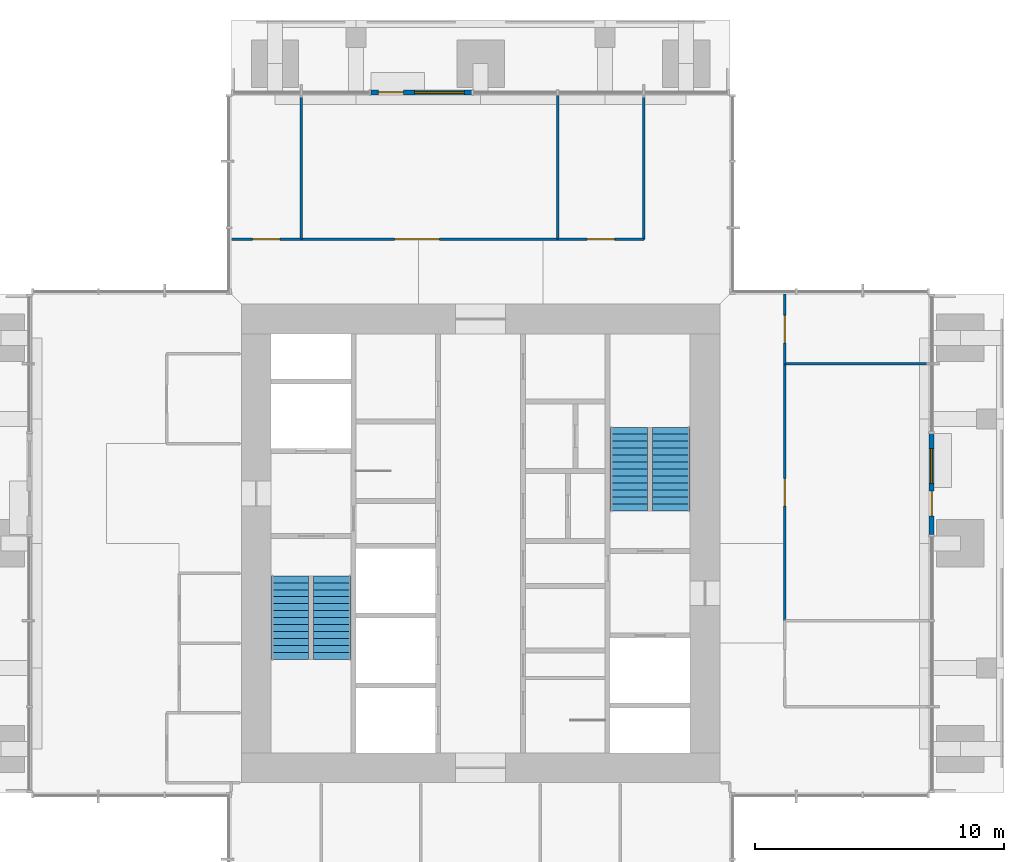
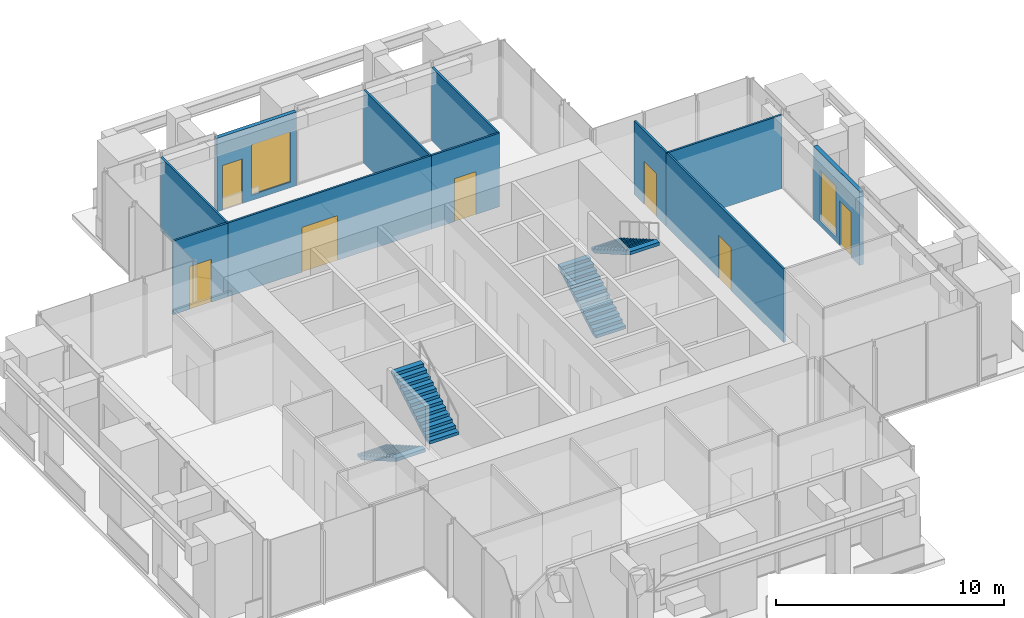
# One storey, part 9 of 12: 11 walls, 7 doors, 4 stair flights, 2 windows, 9 openings, 2 elements without a shape of their own.
"""IFC4 building model written with IfcOpenShell, lengths in metres."""

import ifcopenshell
import ifcopenshell.guid

model = None  # the IFC model being written
_history = None  # IfcOwnerHistory: only IFC2X3 demands one
_inside = {}  # id of a spatial element -> (the spatial element, [elements in it])
_under = {}  # id of a project, library or spatial element -> (it, [spatial elements below it])
_declared = {}  # id of a project -> (the project, [libraries it declares])
_typed = {}  # id of a type object -> (the type object, [elements of that type])
_made_of = {}  # id of a material, layer set ... -> (it, [elements and type objects made of it])


def new_model(schema):
    """Start an empty IFC model of exactly this schema.

    Asked for "IFC4X3", IfcOpenShell would pick the latest addendum, in which some entities
    have other attributes; the version numbers below select the first issue.
    IFC2X3 requires an IfcOwnerHistory on every rooted entity: one is made here for all.
    """
    global model, _history
    if schema == "IFC4X3":
        model = ifcopenshell.file(schema_version=(4, 3, 0, 0))
    else:
        model = ifcopenshell.file(schema=schema)
    _inside.clear()
    _under.clear()
    _declared.clear()
    _typed.clear()
    _made_of.clear()
    _history = None
    if model.schema == "IFC2X3":
        org = make("IfcOrganization", Name="unknown")
        user = make(
            "IfcPersonAndOrganization",
            ThePerson=make("IfcPerson", FamilyName="unknown"),
            TheOrganization=org,
        )
        app = make(
            "IfcApplication",
            ApplicationDeveloper=org,
            Version="unknown",
            ApplicationFullName="unknown",
            ApplicationIdentifier="unknown",
        )
        _history = make(
            "IfcOwnerHistory",
            OwningUser=user,
            OwningApplication=app,
            ChangeAction="ADDED",
            CreationDate=0,
        )
    return model


def make(cls, **values):
    """One entity of the class cls with the attributes given. An attribute that is None is left unset."""
    return model.create_entity(
        cls, **{name: value for name, value in values.items() if value is not None}
    )


def rooted(cls, **values):
    """An entity with a GlobalId (a new one), such as an element, a storey or a relation."""
    return make(cls, GlobalId=ifcopenshell.guid.new(), OwnerHistory=_history, **values)


def si_unit(unit_type, name, prefix=None):
    """IfcSIUnit, for example si_unit("LENGTHUNIT", "METRE", prefix="MILLI")."""
    return make("IfcSIUnit", UnitType=unit_type, Prefix=prefix, Name=name)


def assignment(units):
    """IfcUnitAssignment: the units of a project."""
    return None if units is None else make("IfcUnitAssignment", Units=units)


def point(xyz):
    """IfcCartesianPoint."""
    return None if xyz is None else make("IfcCartesianPoint", Coordinates=xyz)


def direction(xyz):
    """IfcDirection."""
    return None if xyz is None else make("IfcDirection", DirectionRatios=xyz)


def frame(location, z_axis=None, x_axis=None):
    """IfcAxis2Placement3D, a coordinate frame: its origin and axes. An axis left out is left unset."""
    return make(
        "IfcAxis2Placement3D",
        Location=point(location),
        Axis=direction(z_axis),
        RefDirection=direction(x_axis),
    )


def frame_2d(location, x_axis=None):
    """IfcAxis2Placement2D, a coordinate frame in the plane: its origin and x axis."""
    return make(
        "IfcAxis2Placement2D", Location=point(location), RefDirection=direction(x_axis)
    )


def origin():
    """The frame at (0, 0, 0) with its axes left unset."""
    return frame((0.0, 0.0, 0.0))


def place(relative_to, where):
    """IfcLocalPlacement: puts the frame where relative to a parent placement (None: the world)."""
    return make(
        "IfcLocalPlacement", PlacementRelTo=relative_to, RelativePlacement=where
    )


def context(
    kind, dimensions, precision=None, world=None, true_north=None, identifier=None
):
    """IfcGeometricRepresentationContext, for example the 3D "Model" context."""
    return make(
        "IfcGeometricRepresentationContext",
        ContextIdentifier=identifier,
        ContextType=kind,
        CoordinateSpaceDimension=dimensions,
        Precision=precision,
        WorldCoordinateSystem=world,
        TrueNorth=true_north,
    )


def subcontext(parent, identifier, kind, view, scale=None):
    """IfcGeometricRepresentationSubContext, for example "Body" below "Model"."""
    return make(
        "IfcGeometricRepresentationSubContext",
        ContextIdentifier=identifier,
        ContextType=kind,
        ParentContext=parent,
        TargetScale=scale,
        TargetView=view,
    )


def project(units=None, contexts=None):
    """IfcProject with its units and contexts."""
    return rooted(
        "IfcProject",
        Name="project",
        RepresentationContexts=contexts,
        UnitsInContext=assignment(units),
    )


def spatial(cls, under=None, at=None, **own):
    """A site, building, storey or space (cls), placed at a placement, below another one or the project."""
    s = rooted(cls, ObjectPlacement=at, **own)
    if under is not None:
        _under.setdefault(under.id(), (under, []))[1].append(s)
    return s


def polyline(points):
    """IfcPolyline through the points."""
    return make("IfcPolyline", Points=[point(p) for p in points])


def profile(cls, at=None, kind="AREA", **sizes):
    """A parametric profile (cls). Its sizes go by their IFC names, for example OverallWidth=200.0."""
    return make(cls, ProfileType=kind, Position=at, **sizes)


def rectangle(**sizes):
    """IfcRectangleProfileDef."""
    return profile("IfcRectangleProfileDef", **sizes)


def outline(outer, holes=None, kind="AREA"):
    """IfcArbitraryClosedProfileDef: a profile drawn as a closed curve; with holes, ...WithVoids."""
    if holes is None:
        return make("IfcArbitraryClosedProfileDef", ProfileType=kind, OuterCurve=outer)
    return make(
        "IfcArbitraryProfileDefWithVoids",
        ProfileType=kind,
        OuterCurve=outer,
        InnerCurves=holes,
    )


def extrude(swept, where, along, depth):
    """IfcExtrudedAreaSolid: the profile swept, set in the frame where, extruded along a direction by depth."""
    return make(
        "IfcExtrudedAreaSolid",
        SweptArea=swept,
        Position=where,
        ExtrudedDirection=direction(along),
        Depth=depth,
    )


def shape(context_of_items, identifier, shape_type, items):
    """IfcShapeRepresentation: the items that make up one representation, for example the "Body"."""
    return make(
        "IfcShapeRepresentation",
        ContextOfItems=context_of_items,
        RepresentationIdentifier=identifier,
        RepresentationType=shape_type,
        Items=items,
    )


def material(Name=None, Category=None):
    """IfcMaterial."""
    return make("IfcMaterial", Name=Name, Category=Category)


def layer(
    of_material, thickness, ventilated=None, Name=None, Category=None, Priority=None
):
    """IfcMaterialLayer: one layer of a wall or slab, of a material (None: an air gap)."""
    return make(
        "IfcMaterialLayer",
        Material=of_material,
        LayerThickness=thickness,
        IsVentilated=ventilated,
        Name=Name,
        Category=Category,
        Priority=Priority,
    )


def layer_set(layers, Name=None):
    """IfcMaterialLayerSet."""
    return make("IfcMaterialLayerSet", MaterialLayers=layers, LayerSetName=Name)


def made_of(thing, what):
    """Note that an element or type object is made of a material, layer set ...; save() writes the relation."""
    if what is not None:
        _made_of.setdefault(what.id(), (what, []))[1].append(thing)
    return thing


def type_object(cls, material=None, **own):
    """A type object (cls), such as IfcWallType, which elements share."""
    return made_of(rooted(cls, **own), material)


def element(
    cls,
    number,
    at=None,
    inside=None,
    cuts=None,
    type_object=None,
    material=None,
    context=None,
    identifier="Body",
    shape_type=None,
    held_by="IfcProductDefinitionShape",
    body=None,
    shapes=None,
    **own,
):
    """One element of the class cls, such as IfcWall. Its Tag is "e" and its number.

    at: its placement. inside: the storey or other place that contains it. cuts: it is an
    opening in that element (IfcRelVoidsElement). A single representation is given by context,
    identifier, shape_type and body (its items); several are given by shapes. held_by: the class
    of the entity that holds the representations. save() writes the other relations.
    """
    e = rooted(cls, Tag="e%d" % number, ObjectPlacement=at, **own)
    if body is not None:
        shapes = [shape(context, identifier, shape_type, body)]
    if shapes is not None:
        e.Representation = make(held_by, Representations=shapes)
    if inside is not None:
        _inside.setdefault(inside.id(), (inside, []))[1].append(e)
    if cuts is not None:
        rooted(
            "IfcRelVoidsElement", RelatingBuildingElement=cuts, RelatedOpeningElement=e
        )
    if type_object is not None:
        _typed.setdefault(type_object.id(), (type_object, []))[1].append(e)
    return made_of(e, material)


def fill(opening, filler):
    """IfcRelFillsElement: the door or window that sits in an opening."""
    return rooted(
        "IfcRelFillsElement",
        RelatingOpeningElement=opening,
        RelatedBuildingElement=filler,
    )


def aggregate(whole, parts):
    """IfcRelAggregates: a whole, such as a stair, and the parts it consists of."""
    return rooted("IfcRelAggregates", RelatingObject=whole, RelatedObjects=parts)


def save(model, path):
    """Write the relations noted so far, then the file.

    IfcRelAggregates (storeys below a building ...), IfcRelContainedInSpatialStructure (elements
    in a storey), IfcRelDefinesByType, IfcRelAssociatesMaterial and IfcRelDeclares: one each for
    every whole, place, type object, material and project.
    """
    for whole, parts in _under.values():
        aggregate(whole, parts)
    for where, things in _inside.values():
        rooted(
            "IfcRelContainedInSpatialStructure",
            RelatedElements=things,
            RelatingStructure=where,
        )
    for kind, things in _typed.values():
        rooted("IfcRelDefinesByType", RelatedObjects=things, RelatingType=kind)
    for what, things in _made_of.values():
        rooted("IfcRelAssociatesMaterial", RelatedObjects=things, RelatingMaterial=what)
    for by, libraries in _declared.values():
        rooted("IfcRelDeclares", RelatingContext=by, RelatedDefinitions=libraries)
    model.write(path)


model = new_model("IFC4")

# Units and contexts
model_context = context("Model", 3, precision=1e-05, world=origin(), true_north=direction((0.0, 1.0)))
body_context = subcontext(model_context, "Body", "Model", "MODEL_VIEW")
ifc_project = project(units=[si_unit("LENGTHUNIT", "METRE"), si_unit("AREAUNIT", "SQUARE_METRE"), si_unit("VOLUMEUNIT", "CUBIC_METRE"), si_unit("PLANEANGLEUNIT", "RADIAN"), si_unit("MASSUNIT", "GRAM", prefix="KILO")], contexts=[model_context])

# Site, building, storey
site_placement = place(None, origin())
site = spatial("IfcSite", under=ifc_project, at=site_placement, CompositionType="ELEMENT")
building_placement = place(site_placement, origin())
building = spatial("IfcBuilding", under=site, at=building_placement, Name="Svetlomir Tower", CompositionType="ELEMENT")
storey_placement = place(building_placement, frame((0.0, 0.0, 256.60009765625)))
storey = spatial("IfcBuildingStorey", under=building, at=storey_placement, Name="L61", CompositionType="ELEMENT", Elevation=256.60009765625)

# Wall, openings, door, window
ifc_material_1 = material(Name="Bronze anodised aluminium glazed screen", Category="aluminium")
ifc_layer_1 = layer(ifc_material_1, 0.199951171875)
ifc_layer_set_1 = layer_set([ifc_layer_1], Name="Bronze anodised aluminium glazed screen")
wall_type_1 = type_object("IfcWallType", Name="BALCONY SCREEN WALL 200", PredefinedType="USERDEFINED", material=ifc_layer_set_1)
wall_1_placement = place(storey_placement, frame((39.10009765625, 21.35009765625, 0.0), z_axis=(0.0, 0.0, 1.0), x_axis=(0.0, 1.0, 0.0)))
wall_1 = element("IfcWall", 1, at=wall_1_placement, inside=storey, type_object=wall_type_1, Name="Balcony screen E", ObjectType="GLAZED SCREEN", PredefinedType="USERDEFINED", context=body_context, shape_type="SweptSolid", body=[
    extrude(rectangle(XDim=4.0498046875, YDim=0.199951171875, at=frame_2d((2.02490234375, 0.0))), origin(), (0.0, 0.0, 1.0), 3.949951171875),
])
opening_1_placement = place(wall_1_placement, frame((0.75, 0.0, 0.0)))
opening_1 = element("IfcOpeningElement", 2, at=opening_1_placement, cuts=wall_1, Name="Opening BD", PredefinedType="OPENING", context=body_context, shape_type="SweptSolid", body=[
    extrude(rectangle(XDim=1.0, YDim=2.39990234375, at=frame_2d((0.5, 1.199951171875))), frame((0.0, 0.10986328125, 0.0), z_axis=(0.0, -1.0, 0.0), x_axis=(1.0, 0.0, 0.0)), (0.0, 0.0, 1.0), 0.219970703125),
])
opening_2_placement = place(wall_1_placement, frame((2.050048828125, 0.0, 0.300048828125)))
opening_2 = element("IfcOpeningElement", 3, at=opening_2_placement, cuts=wall_1, Name="Opening WS2", PredefinedType="OPENING", context=body_context, shape_type="SweptSolid", body=[
    extrude(rectangle(XDim=1.39990234375, YDim=2.699951171875, at=frame_2d((0.699951171875, 1.35009765625))), frame((0.0, 0.10986328125, 0.0), z_axis=(0.0, -1.0, 0.0), x_axis=(1.0, 0.0, 0.0)), (0.0, 0.0, 1.0), 0.219970703125),
])
ifc_material_2 = material(Name="Bronze anodised aluminium glazed door", Category="aluminium")
door_type_1 = type_object("IfcDoorType", Name="BALCONY DOOR BD 1000x2400", OperationType="SINGLE_SWING_LEFT", PredefinedType="DOOR", material=ifc_material_2)
door_1_placement = place(opening_1_placement, origin())
door_1 = element("IfcDoor", 4, at=door_1_placement, inside=storey, type_object=door_type_1, Name="Balcony screen E door", OperationType="SINGLE_SWING_LEFT", OverallHeight=2.39990234375, OverallWidth=1.0, PredefinedType="DOOR", context=body_context, shape_type="SweptSolid", body=[
    extrude(rectangle(XDim=1.0, YDim=2.39990234375, at=frame_2d((0.5, 1.199951171875))), frame((0.0, 0.02490234375, 0.0), z_axis=(0.0, -1.0, 0.0), x_axis=(1.0, 0.0, 0.0)), (0.0, 0.0, 1.0), 0.050048828125),
])
fill(opening_1, door_1)
ifc_material_3 = material(Name="Bronze anodised aluminium window", Category="aluminium")
window_type_1 = type_object("IfcWindowType", Name="SCREEN WINDOW WS2 1400x2700", PartitioningType="SINGLE_PANEL", PredefinedType="WINDOW", material=ifc_material_3)
window_1_placement = place(opening_2_placement, origin())
window_1 = element("IfcWindow", 5, at=window_1_placement, inside=storey, type_object=window_type_1, Name="Balcony screen E window 1", OverallHeight=2.699951171875, OverallWidth=1.39990234375, PartitioningType="SINGLE_PANEL", PredefinedType="WINDOW", context=body_context, shape_type="SweptSolid", body=[
    extrude(rectangle(XDim=1.39990234375, YDim=2.699951171875, at=frame_2d((0.699951171875, 1.35009765625))), frame((0.0, 0.030029296875, 0.0), z_axis=(0.0, -1.0, 0.0), x_axis=(1.0, 0.0, 0.0)), (0.0, 0.0, 1.0), 0.06005859375),
])
fill(opening_2, window_1)

wall_2_placement = place(storey_placement, frame((20.64990234375, 39.10009765625, 0.0), z_axis=(0.0, 0.0, 1.0), x_axis=(-1.0, 0.0, 0.0)))
wall_2 = element("IfcWall", 6, at=wall_2_placement, inside=storey, type_object=wall_type_1, Name="Balcony screen N", ObjectType="GLAZED SCREEN", PredefinedType="USERDEFINED", context=body_context, shape_type="SweptSolid", body=[
    extrude(rectangle(XDim=4.0498046875, YDim=0.199951171875, at=frame_2d((2.02490234375, 0.0))), origin(), (0.0, 0.0, 1.0), 3.949951171875),
])
opening_3_placement = place(wall_2_placement, frame((2.75, 0.0, 0.0)))
opening_3 = element("IfcOpeningElement", 7, at=opening_3_placement, cuts=wall_2, Name="Opening BD", PredefinedType="OPENING", context=body_context, shape_type="SweptSolid", body=[
    extrude(rectangle(XDim=1.0, YDim=2.39990234375, at=frame_2d((0.5, 1.199951171875))), frame((0.0, 0.10986328125, 0.0), z_axis=(0.0, -1.0, 0.0), x_axis=(1.0, 0.0, 0.0)), (0.0, 0.0, 1.0), 0.219970703125),
])
opening_4_placement = place(wall_2_placement, frame((0.300048828125, 0.0, 0.300048828125)))
opening_4 = element("IfcOpeningElement", 8, at=opening_4_placement, cuts=wall_2, Name="Opening WS", PredefinedType="OPENING", context=body_context, shape_type="SweptSolid", body=[
    extrude(rectangle(XDim=2.0, YDim=2.699951171875, at=frame_2d((1.0, 1.35009765625))), frame((0.0, 0.10986328125, 0.0), z_axis=(0.0, -1.0, 0.0), x_axis=(1.0, 0.0, 0.0)), (0.0, 0.0, 1.0), 0.219970703125),
])
door_2_placement = place(opening_3_placement, origin())
door_2 = element("IfcDoor", 9, at=door_2_placement, inside=storey, type_object=door_type_1, Name="Balcony screen N door", OperationType="SINGLE_SWING_LEFT", OverallHeight=2.39990234375, OverallWidth=1.0, PredefinedType="DOOR", context=body_context, shape_type="SweptSolid", body=[
    extrude(rectangle(XDim=1.0, YDim=2.39990234375, at=frame_2d((0.5, 1.199951171875))), frame((0.0, 0.02490234375, 0.0), z_axis=(0.0, -1.0, 0.0), x_axis=(1.0, 0.0, 0.0)), (0.0, 0.0, 1.0), 0.050048828125),
])
fill(opening_3, door_2)
ifc_material_4 = material(Name="Bronze anodised aluminium window", Category="aluminium")
window_type_2 = type_object("IfcWindowType", Name="SCREEN WINDOW WS 2000x2700", PartitioningType="SINGLE_PANEL", PredefinedType="WINDOW", material=ifc_material_4)
window_2_placement = place(opening_4_placement, origin())
window_2 = element("IfcWindow", 10, at=window_2_placement, inside=storey, type_object=window_type_2, Name="Balcony screen N window 1", OverallHeight=2.699951171875, OverallWidth=2.0, PartitioningType="SINGLE_PANEL", PredefinedType="WINDOW", context=body_context, shape_type="SweptSolid", body=[
    extrude(rectangle(XDim=2.0, YDim=2.699951171875, at=frame_2d((1.0, 1.35009765625))), frame((0.0, 0.030029296875, 0.0), z_axis=(0.0, -1.0, 0.0), x_axis=(1.0, 0.0, 0.0)), (0.0, 0.0, 1.0), 0.06005859375),
])
fill(opening_4, window_2)

# Wall, opening, door
ifc_material_5 = material(Name="Framed laminated glass partition", Category="glass")
ifc_layer_2 = layer(ifc_material_5, 0.10009765625)
ifc_layer_set_2 = layer_set([ifc_layer_2], Name="Framed laminated glass partition")
wall_type_2 = type_object("IfcWallType", Name="GLAZED PARTITION 100", PredefinedType="PARTITIONING", material=ifc_layer_set_2)
wall_3_placement = place(storey_placement, frame((11.0, 33.199951171875, 0.0), z_axis=(0.0, 0.0, 1.0), x_axis=(1.0, 0.0, 0.0)))
wall_3 = element("IfcWall", 11, at=wall_3_placement, inside=storey, type_object=wall_type_2, Name="Partition L61", PredefinedType="PARTITIONING", context=body_context, shape_type="SweptSolid", body=[
    extrude(rectangle(XDim=2.800048828125, YDim=0.10009765625, at=frame_2d((1.39990234375, 0.0))), origin(), (0.0, 0.0, 1.0), 3.949951171875),
])
opening_5_placement = place(wall_3_placement, frame((0.85009765625, 0.0, 0.0)))
opening_5 = element("IfcOpeningElement", 12, at=opening_5_placement, cuts=wall_3, Name="Opening DE", PredefinedType="OPENING", context=body_context, shape_type="SweptSolid", body=[
    extrude(rectangle(XDim=1.10009765625, YDim=2.300048828125, at=frame_2d((0.550048828125, 1.14990234375))), frame((0.0, 0.06005859375, 0.0), z_axis=(0.0, -1.0, 0.0), x_axis=(1.0, 0.0, 0.0)), (0.0, 0.0, 1.0), 0.1201171875),
])
ifc_material_6 = material(Name="Walnut veneered timber door", Category="wood")
door_type_2 = type_object("IfcDoorType", Name="DOOR DE 1100x2300", OperationType="SINGLE_SWING_LEFT", PredefinedType="DOOR", material=ifc_material_6)
door_3_placement = place(opening_5_placement, origin())
door_3 = element("IfcDoor", 13, at=door_3_placement, inside=storey, type_object=door_type_2, Name="Executive office - CEO Real Estate door L61", OperationType="SINGLE_SWING_RIGHT", OverallHeight=2.300048828125, OverallWidth=1.10009765625, PredefinedType="DOOR", context=body_context, shape_type="SweptSolid", body=[
    extrude(rectangle(XDim=1.10009765625, YDim=2.300048828125, at=frame_2d((0.550048828125, 1.14990234375))), frame((0.0, 0.02490234375, 0.0), z_axis=(0.0, -1.0, 0.0), x_axis=(1.0, 0.0, 0.0)), (0.0, 0.0, 1.0), 0.050048828125),
])
fill(opening_5, door_3)

# Wall
wall_4_placement = place(storey_placement, frame((13.800048828125, 33.199951171875, 0.0), z_axis=(0.0, 0.0, 1.0), x_axis=(0.0, 1.0, 0.0)))
element("IfcWall", 14, at=wall_4_placement, inside=storey, type_object=wall_type_2, Name="Partition L61", PredefinedType="PARTITIONING", context=body_context, shape_type="SweptSolid", body=[
    extrude(rectangle(XDim=5.800048828125, YDim=0.10009765625, at=frame_2d((2.89990234375, 0.0))), origin(), (0.0, 0.0, 1.0), 3.949951171875),
])

# Wall, opening, door
wall_5_placement = place(storey_placement, frame((13.800048828125, 33.199951171875, 0.0), z_axis=(0.0, 0.0, 1.0), x_axis=(1.0, 0.0, 0.0)))
wall_5 = element("IfcWall", 15, at=wall_5_placement, inside=storey, type_object=wall_type_2, Name="Glazed partition L61", PredefinedType="PARTITIONING", context=body_context, shape_type="SweptSolid", body=[
    extrude(rectangle(XDim=10.300048828125, YDim=0.10009765625, at=frame_2d((5.14990234375, 0.0))), origin(), (0.0, 0.0, 1.0), 3.949951171875),
])
opening_6_placement = place(wall_5_placement, frame((3.75, 0.0, 0.0)))
opening_6 = element("IfcOpeningElement", 16, at=opening_6_placement, cuts=wall_5, Name="Opening DD", PredefinedType="OPENING", context=body_context, shape_type="SweptSolid", body=[
    extrude(rectangle(XDim=1.800048828125, YDim=2.39990234375, at=frame_2d((0.89990234375, 1.199951171875))), frame((0.0, 0.06005859375, 0.0), z_axis=(0.0, -1.0, 0.0), x_axis=(1.0, 0.0, 0.0)), (0.0, 0.0, 1.0), 0.1201171875),
])
ifc_material_7 = material(Name="Timber door", Category="wood")
door_type_3 = type_object("IfcDoorType", Name="DOOR DD 1800x2400", OperationType="DOUBLE_DOOR_SINGLE_SWING", PredefinedType="DOOR", material=ifc_material_7)
door_4_placement = place(opening_6_placement, origin())
door_4 = element("IfcDoor", 17, at=door_4_placement, inside=storey, type_object=door_type_3, Name="Executive meeting room, 14 seats door L61", OperationType="DOUBLE_DOOR_SINGLE_SWING", OverallHeight=2.39990234375, OverallWidth=1.800048828125, PredefinedType="DOOR", context=body_context, shape_type="SweptSolid", body=[
    extrude(rectangle(XDim=1.800048828125, YDim=2.39990234375, at=frame_2d((0.89990234375, 1.199951171875))), frame((0.0, 0.02490234375, 0.0), z_axis=(0.0, -1.0, 0.0), x_axis=(1.0, 0.0, 0.0)), (0.0, 0.0, 1.0), 0.050048828125),
])
fill(opening_6, door_4)

# Wall
wall_6_placement = place(storey_placement, frame((24.10009765625, 33.199951171875, 0.0), z_axis=(0.0, 0.0, 1.0), x_axis=(0.0, 1.0, 0.0)))
element("IfcWall", 18, at=wall_6_placement, inside=storey, type_object=wall_type_2, Name="Partition L61", PredefinedType="PARTITIONING", context=body_context, shape_type="SweptSolid", body=[
    extrude(rectangle(XDim=5.800048828125, YDim=0.10009765625, at=frame_2d((2.89990234375, 0.0))), origin(), (0.0, 0.0, 1.0), 3.949951171875),
])

# Wall, opening, door
wall_7_placement = place(storey_placement, frame((24.10009765625, 33.199951171875, 0.0), z_axis=(0.0, 0.0, 1.0), x_axis=(1.0, 0.0, 0.0)))
wall_7 = element("IfcWall", 19, at=wall_7_placement, inside=storey, type_object=wall_type_2, Name="Partition L61", PredefinedType="PARTITIONING", context=body_context, shape_type="SweptSolid", body=[
    extrude(rectangle(XDim=3.449951171875, YDim=0.10009765625, at=frame_2d((1.72509765625, 0.0))), origin(), (0.0, 0.0, 1.0), 3.949951171875),
])
opening_7_placement = place(wall_7_placement, frame((1.175048828125, 0.0, 0.0)))
opening_7 = element("IfcOpeningElement", 20, at=opening_7_placement, cuts=wall_7, Name="Opening DE", PredefinedType="OPENING", context=body_context, shape_type="SweptSolid", body=[
    extrude(rectangle(XDim=1.10009765625, YDim=2.300048828125, at=frame_2d((0.550048828125, 1.14990234375))), frame((0.0, 0.06005859375, 0.0), z_axis=(0.0, -1.0, 0.0), x_axis=(1.0, 0.0, 0.0)), (0.0, 0.0, 1.0), 0.1201171875),
])
door_5_placement = place(opening_7_placement, origin())
door_5 = element("IfcDoor", 21, at=door_5_placement, inside=storey, type_object=door_type_2, Name="Executive office - CEO Insurance door L61", OperationType="SINGLE_SWING_RIGHT", OverallHeight=2.300048828125, OverallWidth=1.10009765625, PredefinedType="DOOR", context=body_context, shape_type="SweptSolid", body=[
    extrude(rectangle(XDim=1.10009765625, YDim=2.300048828125, at=frame_2d((0.550048828125, 1.14990234375))), frame((0.0, 0.02490234375, 0.0), z_axis=(0.0, -1.0, 0.0), x_axis=(1.0, 0.0, 0.0)), (0.0, 0.0, 1.0), 0.050048828125),
])
fill(opening_7, door_5)

# Wall
wall_8_placement = place(storey_placement, frame((27.550048828125, 33.199951171875, 0.0), z_axis=(0.0, 0.0, 1.0), x_axis=(0.0, 1.0, 0.0)))
element("IfcWall", 22, at=wall_8_placement, inside=storey, type_object=wall_type_2, Name="Partition L61", PredefinedType="PARTITIONING", context=body_context, shape_type="SweptSolid", body=[
    extrude(rectangle(XDim=5.800048828125, YDim=0.10009765625, at=frame_2d((2.89990234375, 0.0))), origin(), (0.0, 0.0, 1.0), 3.949951171875),
])

# Wall, opening, door
wall_9_placement = place(storey_placement, frame((33.199951171875, 17.89990234375, 0.0), z_axis=(0.0, 0.0, 1.0), x_axis=(0.0, 1.0, 0.0)))
wall_9 = element("IfcWall", 23, at=wall_9_placement, inside=storey, type_object=wall_type_2, Name="Glazed partition L61", PredefinedType="PARTITIONING", context=body_context, shape_type="SweptSolid", body=[
    extrude(rectangle(XDim=10.300048828125, YDim=0.10009765625, at=frame_2d((5.14990234375, 0.0))), origin(), (0.0, 0.0, 1.0), 3.949951171875),
])
opening_8_placement = place(wall_9_placement, frame((4.60009765625, 0.0, 0.0)))
opening_8 = element("IfcOpeningElement", 24, at=opening_8_placement, cuts=wall_9, Name="Opening DE", PredefinedType="OPENING", context=body_context, shape_type="SweptSolid", body=[
    extrude(rectangle(XDim=1.10009765625, YDim=2.300048828125, at=frame_2d((0.550048828125, 1.14990234375))), frame((0.0, 0.06005859375, 0.0), z_axis=(0.0, -1.0, 0.0), x_axis=(1.0, 0.0, 0.0)), (0.0, 0.0, 1.0), 0.1201171875),
])
door_6_placement = place(opening_8_placement, origin())
door_6 = element("IfcDoor", 25, at=door_6_placement, inside=storey, type_object=door_type_2, Name="Executive lounge door L61", OperationType="SINGLE_SWING_RIGHT", OverallHeight=2.300048828125, OverallWidth=1.10009765625, PredefinedType="DOOR", context=body_context, shape_type="SweptSolid", body=[
    extrude(rectangle(XDim=1.10009765625, YDim=2.300048828125, at=frame_2d((0.550048828125, 1.14990234375))), frame((0.0, 0.02490234375, 0.0), z_axis=(0.0, -1.0, 0.0), x_axis=(1.0, 0.0, 0.0)), (0.0, 0.0, 1.0), 0.050048828125),
])
fill(opening_8, door_6)

wall_10_placement = place(storey_placement, frame((33.199951171875, 28.199951171875, 0.0), z_axis=(0.0, 0.0, 1.0), x_axis=(0.0, 1.0, 0.0)))
wall_10 = element("IfcWall", 26, at=wall_10_placement, inside=storey, type_object=wall_type_2, Name="Partition L61", PredefinedType="PARTITIONING", context=body_context, shape_type="SweptSolid", body=[
    extrude(rectangle(XDim=2.800048828125, YDim=0.10009765625, at=frame_2d((1.39990234375, 0.0))), origin(), (0.0, 0.0, 1.0), 3.949951171875),
])
opening_9_placement = place(wall_10_placement, frame((0.85009765625, 0.0, 0.0)))
opening_9 = element("IfcOpeningElement", 27, at=opening_9_placement, cuts=wall_10, Name="Opening DE", PredefinedType="OPENING", context=body_context, shape_type="SweptSolid", body=[
    extrude(rectangle(XDim=1.10009765625, YDim=2.300048828125, at=frame_2d((0.550048828125, 1.14990234375))), frame((0.0, 0.06005859375, 0.0), z_axis=(0.0, -1.0, 0.0), x_axis=(1.0, 0.0, 0.0)), (0.0, 0.0, 1.0), 0.1201171875),
])
door_7_placement = place(opening_9_placement, origin())
door_7 = element("IfcDoor", 28, at=door_7_placement, inside=storey, type_object=door_type_2, Name="Executive office - CEO Energy door L61", OperationType="SINGLE_SWING_LEFT", OverallHeight=2.300048828125, OverallWidth=1.10009765625, PredefinedType="DOOR", context=body_context, shape_type="SweptSolid", body=[
    extrude(rectangle(XDim=1.10009765625, YDim=2.300048828125, at=frame_2d((0.550048828125, 1.14990234375))), frame((0.0, 0.02490234375, 0.0), z_axis=(0.0, -1.0, 0.0), x_axis=(1.0, 0.0, 0.0)), (0.0, 0.0, 1.0), 0.050048828125),
])
fill(opening_9, door_7)

# Wall
wall_11_placement = place(storey_placement, frame((33.199951171875, 28.199951171875, 0.0), z_axis=(0.0, 0.0, 1.0), x_axis=(1.0, 0.0, 0.0)))
element("IfcWall", 29, at=wall_11_placement, inside=storey, type_object=wall_type_2, Name="Partition L61", PredefinedType="PARTITIONING", context=body_context, shape_type="SweptSolid", body=[
    extrude(rectangle(XDim=5.800048828125, YDim=0.10009765625, at=frame_2d((2.89990234375, 0.0))), origin(), (0.0, 0.0, 1.0), 3.949951171875),
])

# Stair, stair flights
ifc_material_8 = material(Name="Concrete C60/75", Category="concrete")
stair_type = type_object("IfcStairType", Name="EXIT STAIR 3200 RISE 4200", PredefinedType="HALF_TURN_STAIR", material=ifc_material_8)
stair_1_placement = place(storey_placement, origin())
stair_1 = element("IfcStair", 30, at=stair_1_placement, inside=storey, type_object=stair_type, Name="Stair S1 L61 to L62", PredefinedType="HALF_TURN_STAIR")
ifc_material_9 = material(Name="Concrete C60/75", Category="concrete")
stair_flight_type = type_object("IfcStairFlightType", Name="STAIR FLIGHT 1500 OF 13 RISERS", PredefinedType="STRAIGHT", material=ifc_material_9)
stair_flight_1_placement = place(storey_placement, frame((13.35009765625, 19.699951171875, 0.0), z_axis=(0.0, 0.0, 1.0), x_axis=(0.0, -1.0, 0.0)))
stair_flight_1 = element("IfcStairFlight", 31, at=stair_flight_1_placement, type_object=stair_flight_type, Name="S1 flight 1", NumberOfRisers=13, NumberOfTreads=12, PredefinedType="STRAIGHT", RiserHeight=0.161538462, TreadLength=0.28, context=body_context, shape_type="SweptSolid", body=[
    extrude(outline(polyline([(0.0, 0.0), (0.0, 0.16162109375), (0.280029296875, 0.16162109375), (0.280029296875, 0.322998046875), (0.56005859375, 0.322998046875), (0.56005859375, 0.484619140625), (0.840087890625, 0.484619140625), (0.840087890625, 0.646240234375), (1.1201171875, 0.646240234375), (1.1201171875, 0.8076171875), (1.39990234375, 0.8076171875), (1.39990234375, 0.96923828125), (1.679931640625, 0.96923828125), (1.679931640625, 1.130859375), (1.9599609375, 1.130859375), (1.9599609375, 1.292236328125), (2.239990234375, 1.292236328125), (2.239990234375, 1.453857421875), (2.52001953125, 1.453857421875), (2.52001953125, 1.615478515625), (2.800048828125, 1.615478515625), (2.800048828125, 1.77685546875), (3.080078125, 1.77685546875), (3.080078125, 1.9384765625), (3.360107421875, 1.9384765625), (3.360107421875, 2.10009765625), (3.360107421875, 1.765380859375), (0.300048828125, 0.0), (0.0, 0.0)])), frame((0.0, 0.75, 0.0), z_axis=(0.0, -1.0, 0.0), x_axis=(1.0, 0.0, 0.0)), (0.0, 0.0, 1.0), 1.5),
])
stair_flight_2_placement = place(storey_placement, frame((15.050048828125, 16.340087890625, 2.099853515625), z_axis=(0.0, 0.0, 1.0), x_axis=(0.0, 1.0, 0.0)))
stair_flight_2 = element("IfcStairFlight", 32, at=stair_flight_2_placement, type_object=stair_flight_type, Name="S1 flight 2", NumberOfRisers=13, NumberOfTreads=12, PredefinedType="STRAIGHT", RiserHeight=0.161538462, TreadLength=0.28, context=body_context, shape_type="SweptSolid", body=[
    extrude(outline(polyline([(0.0, 0.0), (0.0, 0.16162109375), (0.280029296875, 0.16162109375), (0.280029296875, 0.322998046875), (0.56005859375, 0.322998046875), (0.56005859375, 0.484619140625), (0.840087890625, 0.484619140625), (0.840087890625, 0.646240234375), (1.1201171875, 0.646240234375), (1.1201171875, 0.8076171875), (1.39990234375, 0.8076171875), (1.39990234375, 0.96923828125), (1.679931640625, 0.96923828125), (1.679931640625, 1.130859375), (1.9599609375, 1.130859375), (1.9599609375, 1.292236328125), (2.239990234375, 1.292236328125), (2.239990234375, 1.453857421875), (2.52001953125, 1.453857421875), (2.52001953125, 1.615478515625), (2.800048828125, 1.615478515625), (2.800048828125, 1.77685546875), (3.080078125, 1.77685546875), (3.080078125, 1.9384765625), (3.360107421875, 1.9384765625), (3.360107421875, 2.10009765625), (3.360107421875, 1.765380859375), (0.300048828125, 0.0), (0.0, 0.0)])), frame((0.0, 0.75, 0.0), z_axis=(0.0, -1.0, 0.0), x_axis=(1.0, 0.0, 0.0)), (0.0, 0.0, 1.0), 1.5),
])
aggregate(stair_1, [stair_flight_1, stair_flight_2])

stair_2_placement = place(storey_placement, origin())
stair_2 = element("IfcStair", 33, at=stair_2_placement, inside=storey, type_object=stair_type, Name="Stair S2 L61 to L62", PredefinedType="HALF_TURN_STAIR")
stair_flight_3_placement = place(storey_placement, frame((26.949951171875, 22.300048828125, 0.0), z_axis=(0.0, 0.0, 1.0), x_axis=(0.0, 1.0, 0.0)))
stair_flight_3 = element("IfcStairFlight", 34, at=stair_flight_3_placement, type_object=stair_flight_type, Name="S2 flight 1", NumberOfRisers=13, NumberOfTreads=12, PredefinedType="STRAIGHT", RiserHeight=0.161538462, TreadLength=0.28, context=body_context, shape_type="SweptSolid", body=[
    extrude(outline(polyline([(0.0, 0.0), (0.0, 0.16162109375), (0.280029296875, 0.16162109375), (0.280029296875, 0.322998046875), (0.56005859375, 0.322998046875), (0.56005859375, 0.484619140625), (0.840087890625, 0.484619140625), (0.840087890625, 0.646240234375), (1.1201171875, 0.646240234375), (1.1201171875, 0.8076171875), (1.39990234375, 0.8076171875), (1.39990234375, 0.96923828125), (1.679931640625, 0.96923828125), (1.679931640625, 1.130859375), (1.9599609375, 1.130859375), (1.9599609375, 1.292236328125), (2.239990234375, 1.292236328125), (2.239990234375, 1.453857421875), (2.52001953125, 1.453857421875), (2.52001953125, 1.615478515625), (2.800048828125, 1.615478515625), (2.800048828125, 1.77685546875), (3.080078125, 1.77685546875), (3.080078125, 1.9384765625), (3.360107421875, 1.9384765625), (3.360107421875, 2.10009765625), (3.360107421875, 1.765380859375), (0.300048828125, 0.0), (0.0, 0.0)])), frame((0.0, 0.75, 0.0), z_axis=(0.0, -1.0, 0.0), x_axis=(1.0, 0.0, 0.0)), (0.0, 0.0, 1.0), 1.5),
])
stair_flight_4_placement = place(storey_placement, frame((28.64990234375, 25.659912109375, 2.099853515625), z_axis=(0.0, 0.0, 1.0), x_axis=(0.0, -1.0, 0.0)))
stair_flight_4 = element("IfcStairFlight", 35, at=stair_flight_4_placement, type_object=stair_flight_type, Name="S2 flight 2", NumberOfRisers=13, NumberOfTreads=12, PredefinedType="STRAIGHT", RiserHeight=0.161538462, TreadLength=0.28, context=body_context, shape_type="SweptSolid", body=[
    extrude(outline(polyline([(0.0, 0.0), (0.0, 0.16162109375), (0.280029296875, 0.16162109375), (0.280029296875, 0.322998046875), (0.56005859375, 0.322998046875), (0.56005859375, 0.484619140625), (0.840087890625, 0.484619140625), (0.840087890625, 0.646240234375), (1.1201171875, 0.646240234375), (1.1201171875, 0.8076171875), (1.39990234375, 0.8076171875), (1.39990234375, 0.96923828125), (1.679931640625, 0.96923828125), (1.679931640625, 1.130859375), (1.9599609375, 1.130859375), (1.9599609375, 1.292236328125), (2.239990234375, 1.292236328125), (2.239990234375, 1.453857421875), (2.52001953125, 1.453857421875), (2.52001953125, 1.615478515625), (2.800048828125, 1.615478515625), (2.800048828125, 1.77685546875), (3.080078125, 1.77685546875), (3.080078125, 1.9384765625), (3.360107421875, 1.9384765625), (3.360107421875, 2.10009765625), (3.360107421875, 1.765380859375), (0.300048828125, 0.0), (0.0, 0.0)])), frame((0.0, 0.75, 0.0), z_axis=(0.0, -1.0, 0.0), x_axis=(1.0, 0.0, 0.0)), (0.0, 0.0, 1.0), 1.5),
])
aggregate(stair_2, [stair_flight_3, stair_flight_4])

save(model, "model.ifc")
